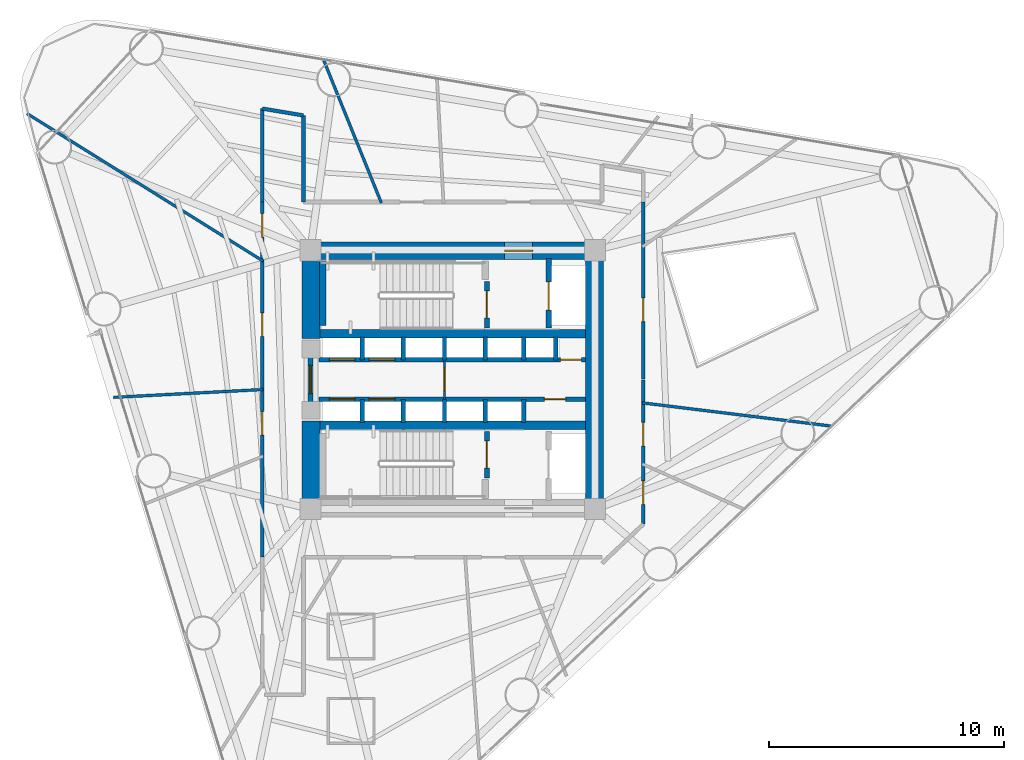
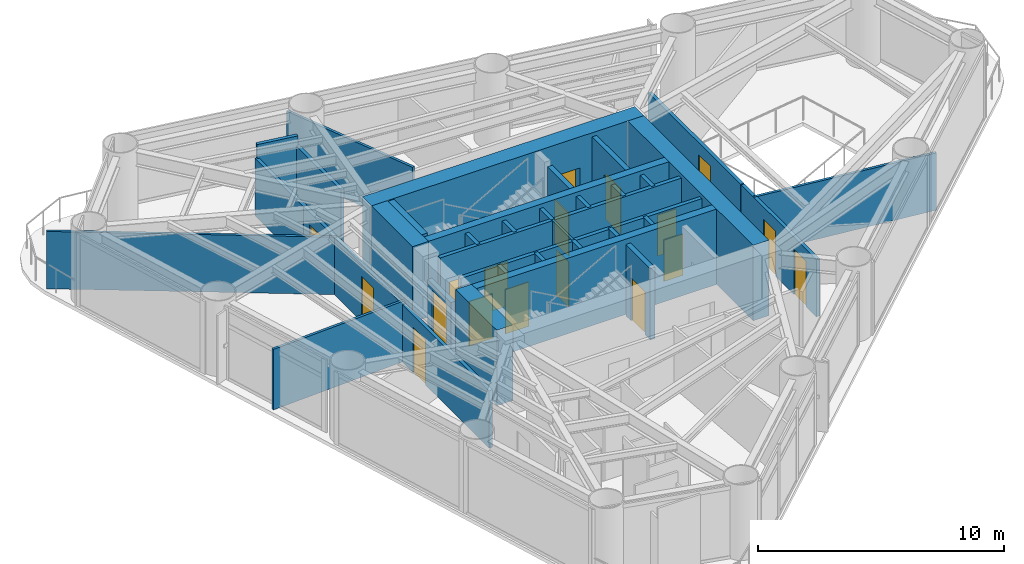
# One storey, part 6 of 10: 35 walls, 18 doors, 18 openings.
"""IFC4 building model written with IfcOpenShell, lengths in metres."""

from ifc_helpers import new_model, si_unit, direction, frame, frame_2d, origin, place, context, subcontext, project, spatial, rectangle, extrude, material, layer, layer_set, type_object, element, fill, save


model = new_model("IFC4")

# Units and contexts
model_context = context("Model", 3, precision=1e-05, world=origin(), true_north=direction((0.0, 1.0)))
body_context = subcontext(model_context, "Body", "Model", "MODEL_VIEW")
ifc_project = project(units=[si_unit("LENGTHUNIT", "METRE"), si_unit("AREAUNIT", "SQUARE_METRE"), si_unit("VOLUMEUNIT", "CUBIC_METRE"), si_unit("PLANEANGLEUNIT", "RADIAN"), si_unit("MASSUNIT", "GRAM", prefix="KILO")], contexts=[model_context])

# Site, building, storey
site_placement = place(None, origin())
site = spatial("IfcSite", under=ifc_project, at=site_placement, CompositionType="ELEMENT")
building_placement = place(site_placement, origin())
building = spatial("IfcBuilding", under=site, at=building_placement, Name="Yunling Apex Tower", CompositionType="ELEMENT")
storey_placement = place(building_placement, frame((0.0, 0.0, 104.89990234375)))
storey = spatial("IfcBuildingStorey", under=building, at=storey_placement, Name="L26", CompositionType="ELEMENT", Elevation=104.89990234375)

# Wall, opening, door
ifc_material_1 = material(Name="Concrete C60", Category="concrete")
ifc_layer_1 = layer(ifc_material_1, 0.75)
ifc_layer_set_1 = layer_set([ifc_layer_1], Name="Concrete C60")
wall_type_1 = type_object("IfcWallType", Name="WL-COR-1", PredefinedType="SHEAR", material=ifc_layer_set_1)
wall_1_placement = place(storey_placement, frame((-6.39990234375, 5.47509765625, 0.0), z_axis=(0.0, 0.0, 1.0), x_axis=(1.0, 0.0, 0.0)))
wall_1 = element("IfcWall", 1, at=wall_1_placement, inside=storey, type_object=wall_type_1, Name="L26 North Core Shear Wall", PredefinedType="SHEAR", context=body_context, shape_type="SweptSolid", body=[
    extrude(rectangle(XDim=12.7998046875, YDim=0.75, at=frame_2d((6.39990234375, 0.0))), origin(), (0.0, 0.0, 1.0), 3.75),
])
opening_1_placement = place(wall_1_placement, frame((8.60009765625, 0.0, 0.0)))
opening_1 = element("IfcOpeningElement", 2, at=opening_1_placement, cuts=wall_1, Name="Opening DR-FFL-1", PredefinedType="OPENING", context=body_context, shape_type="SweptSolid", body=[
    extrude(rectangle(XDim=1.199951171875, YDim=2.199951171875, at=frame_2d((0.60009765625, 1.10009765625))), frame((0.0, 0.385009765625, 0.0), z_axis=(0.0, -1.0, 0.0), x_axis=(1.0, 0.0, 0.0)), (0.0, 0.0, 1.0), 0.77001953125),
])
ifc_material_2 = material(Name="Steel Q355B", Category="steel")
door_type_1 = type_object("IfcDoorType", Name="DR-FFL-1", OperationType="NOTDEFINED", PredefinedType="DOOR", material=ifc_material_2)
door_1_placement = place(opening_1_placement, origin())
door_1 = element("IfcDoor", 3, at=door_1_placement, inside=storey, type_object=door_type_1, Name="L26 North Firefighting Lobby Door", OperationType="SINGLE_SWING_LEFT", OverallHeight=2.199951171875, OverallWidth=1.199951171875, PredefinedType="DOOR", context=body_context, shape_type="SweptSolid", body=[
    extrude(rectangle(XDim=1.199951171875, YDim=2.199951171875, at=frame_2d((0.60009765625, 1.10009765625))), frame((0.0, 0.02490234375, 0.0), z_axis=(0.0, -1.0, 0.0), x_axis=(1.0, 0.0, 0.0)), (0.0, 0.0, 1.0), 0.050048828125),
])
fill(opening_1, door_1)

# Walls
wall_2_placement = place(storey_placement, frame((6.02490234375, -5.10009765625, 0.0), z_axis=(0.0, 0.0, 1.0), x_axis=(0.0, 1.0, 0.0)))
element("IfcWall", 4, at=wall_2_placement, inside=storey, type_object=wall_type_1, Name="L26 East Core Shear Wall", PredefinedType="SHEAR", context=body_context, shape_type="SweptSolid", body=[
    extrude(rectangle(XDim=10.2001953125, YDim=0.75, at=frame_2d((5.10009765625, 0.0))), origin(), (0.0, 0.0, 1.0), 3.75),
])
for number, where, z_axis, x_axis, name in (
    (5, (-6.02490234375, -5.10009765625, 0.0), (0.0, 0.0, 1.0), (0.0, 1.0, 0.0), "L26 West-South Core Shear Wall"),
    (6, (-6.02490234375, 1.75, 0.0), (0.0, 0.0, 1.0), (0.0, 1.0, 0.0), "L26 West-North Core Shear Wall"),
):
    element("IfcWall", number, at=place(storey_placement, frame(where, z_axis=z_axis, x_axis=x_axis)), inside=storey, type_object=wall_type_1, Name=name, PredefinedType="SHEAR", context=body_context, shape_type="SweptSolid", body=[
        extrude(rectangle(XDim=3.35009765625, YDim=0.75, at=frame_2d((1.675048828125, 0.0))), origin(), (0.0, 0.0, 1.0), 3.75),
    ])
ifc_material_3 = material(Name="Concrete C40", Category="concrete")
ifc_layer_2 = layer(ifc_material_3, 0.360107421875)
ifc_layer_set_2 = layer_set([ifc_layer_2], Name="Concrete C40")
wall_type_2 = type_object("IfcWallType", Name="WL-COR-4", PredefinedType="SHEAR", material=ifc_layer_set_2)
for number, where, z_axis, x_axis, name in (
    (7, (-5.64990234375, 1.93994140625, 0.0), (0.0, 0.0, 1.0), (1.0, 0.0, 0.0), "L26 North Internal Core Shear Wall"),
    (8, (-5.64990234375, -1.93994140625, 0.0), (0.0, 0.0, 1.0), (1.0, 0.0, 0.0), "L26 South Internal Core Shear Wall"),
):
    element("IfcWall", number, at=place(storey_placement, frame(where, z_axis=z_axis, x_axis=x_axis)), inside=storey, type_object=wall_type_2, Name=name, PredefinedType="SHEAR", context=body_context, shape_type="SweptSolid", body=[
        extrude(rectangle(XDim=11.2998046875, YDim=0.360107421875, at=frame_2d((5.64990234375, 0.0))), origin(), (0.0, 0.0, 1.0), 3.75),
    ])
ifc_layer_3 = layer(ifc_material_3, 0.280029296875)
ifc_layer_set_3 = layer_set([ifc_layer_3], Name="Concrete C40")
wall_type_3 = type_object("IfcWallType", Name="WL-COR-8", PredefinedType="SHEAR", material=ifc_layer_set_3)
wall_3_placement = place(storey_placement, frame((-5.52001953125, 2.300048828125, 0.0), z_axis=(0.0, 0.0, 1.0), x_axis=(0.0, 1.0, 0.0)))
element("IfcWall", 9, at=wall_3_placement, inside=storey, type_object=wall_type_3, Name="L26 ST-1 West Landing Bearing Wall", PredefinedType="SHEAR", context=body_context, shape_type="SweptSolid", body=[
    extrude(rectangle(XDim=2.75, YDim=0.280029296875, at=frame_2d((1.375, 0.0))), origin(), (0.0, 0.0, 1.0), 3.75),
])

# Wall, openings, doors
ifc_material_4 = material(Name="Gypsum board acoustic partition")
ifc_layer_4 = layer(ifc_material_4, 0.159912109375)
ifc_layer_set_4 = layer_set([ifc_layer_4], Name="Gypsum board acoustic partition")
wall_type_4 = type_object("IfcWallType", Name="WL-PRT-1", PredefinedType="PARTITIONING", material=ifc_layer_set_4)
wall_4_placement = place(storey_placement, frame((-8.10009765625, -7.550048828125, 0.0), z_axis=(0.0, 0.0, 1.0), x_axis=(0.0, 1.0, 0.0)))
wall_4 = element("IfcWall", 10, at=wall_4_placement, inside=storey, type_object=wall_type_4, Name="WL-CORR-L26-03", PredefinedType="PARTITIONING", context=body_context, shape_type="SweptSolid", body=[
    extrude(rectangle(XDim=15.10009765625, YDim=0.159912109375, at=frame_2d((7.550048828125, 0.0))), origin(), (0.0, 0.0, 1.0), 2.85009765625),
])
opening_2_placement = place(wall_4_placement, frame((5.185302734375, 0.0, 0.0)))
opening_2 = element("IfcOpeningElement", 11, at=opening_2_placement, cuts=wall_4, Name="Opening DR-OFF-1", PredefinedType="OPENING", context=body_context, shape_type="SweptSolid", body=[
    extrude(rectangle(XDim=1.0, YDim=2.25, at=frame_2d((0.5, 1.125))), frame((0.0, 0.08984375, 0.0), z_axis=(0.0, -1.0, 0.0), x_axis=(1.0, 0.0, 0.0)), (0.0, 0.0, 1.0), 0.179931640625),
])
opening_3_placement = place(wall_4_placement, frame((9.390380859375, 0.0, 0.0)))
opening_3 = element("IfcOpeningElement", 12, at=opening_3_placement, cuts=wall_4, Name="Opening DR-OFF-1", PredefinedType="OPENING", context=body_context, shape_type="SweptSolid", body=[
    extrude(rectangle(XDim=1.0, YDim=2.25, at=frame_2d((0.5, 1.125))), frame((0.0, 0.08984375, 0.0), z_axis=(0.0, -1.0, 0.0), x_axis=(1.0, 0.0, 0.0)), (0.0, 0.0, 1.0), 0.179931640625),
])
opening_4_placement = place(wall_4_placement, frame((13.607421875, 0.0, 0.0)))
opening_4 = element("IfcOpeningElement", 13, at=opening_4_placement, cuts=wall_4, Name="Opening DR-OFF-1", PredefinedType="OPENING", context=body_context, shape_type="SweptSolid", body=[
    extrude(rectangle(XDim=1.0, YDim=2.25, at=frame_2d((0.5, 1.125))), frame((0.0, 0.08984375, 0.0), z_axis=(0.0, -1.0, 0.0), x_axis=(1.0, 0.0, 0.0)), (0.0, 0.0, 1.0), 0.179931640625),
])
ifc_material_5 = material(Name="Bronze anodised aluminium", Category="aluminium")
door_type_2 = type_object("IfcDoorType", Name="DR-OFF-1", OperationType="NOTDEFINED", PredefinedType="DOOR", material=ifc_material_5)
door_2_placement = place(opening_2_placement, origin())
door_2 = element("IfcDoor", 14, at=door_2_placement, inside=storey, type_object=door_type_2, Name="L26 Business Reading Lounge Door", OperationType="SINGLE_SWING_LEFT", OverallHeight=2.25, OverallWidth=1.0, PredefinedType="DOOR", context=body_context, shape_type="SweptSolid", body=[
    extrude(rectangle(XDim=1.0, YDim=2.25, at=frame_2d((0.5, 1.125))), frame((0.0, 0.02490234375, 0.0), z_axis=(0.0, -1.0, 0.0), x_axis=(1.0, 0.0, 0.0)), (0.0, 0.0, 1.0), 0.050048828125),
])
fill(opening_2, door_2)
door_3_placement = place(opening_3_placement, origin())
door_3 = element("IfcDoor", 15, at=door_3_placement, inside=storey, type_object=door_type_2, Name="L26 Document Archive Store Door", OperationType="SINGLE_SWING_RIGHT", OverallHeight=2.25, OverallWidth=1.0, PredefinedType="DOOR", context=body_context, shape_type="SweptSolid", body=[
    extrude(rectangle(XDim=1.0, YDim=2.25, at=frame_2d((0.5, 1.125))), frame((0.0, 0.02490234375, 0.0), z_axis=(0.0, -1.0, 0.0), x_axis=(1.0, 0.0, 0.0)), (0.0, 0.0, 1.0), 0.050048828125),
])
fill(opening_3, door_3)
door_4_placement = place(opening_4_placement, origin())
door_4 = element("IfcDoor", 16, at=door_4_placement, inside=storey, type_object=door_type_2, Name="L26 Client Reception Foyer Door", OperationType="SINGLE_SWING_LEFT", OverallHeight=2.25, OverallWidth=1.0, PredefinedType="DOOR", context=body_context, shape_type="SweptSolid", body=[
    extrude(rectangle(XDim=1.0, YDim=2.25, at=frame_2d((0.5, 1.125))), frame((0.0, 0.02490234375, 0.0), z_axis=(0.0, -1.0, 0.0), x_axis=(1.0, 0.0, 0.0)), (0.0, 0.0, 1.0), 0.050048828125),
])
fill(opening_4, door_4)

# Walls
wall_5_placement = place(storey_placement, frame((-8.10009765625, 7.550048828125, 0.0), z_axis=(0.0, 0.0, 1.0), x_axis=(0.0, 1.0, 0.0)))
element("IfcWall", 17, at=wall_5_placement, inside=storey, type_object=wall_type_4, Name="WL-CORR-L26-04", PredefinedType="PARTITIONING", context=body_context, shape_type="SweptSolid", body=[
    extrude(rectangle(XDim=3.970703125, YDim=0.159912109375, at=frame_2d((1.9853515625, 0.0))), origin(), (0.0, 0.0, 1.0), 2.85009765625),
])
wall_6_placement = place(storey_placement, frame((-8.10009765625, 11.520751953125, 0.0), z_axis=(0.0, 0.0, 1.0), x_axis=(0.986408796856, -0.164309724253, 0.0)))
element("IfcWall", 18, at=wall_6_placement, inside=storey, type_object=wall_type_4, Name="WL-CORR-L26-05", PredefinedType="PARTITIONING", context=body_context, shape_type="SweptSolid", body=[
    extrude(rectangle(XDim=1.774169921875, YDim=0.159912109375, at=frame_2d((0.88720703125, 0.0))), origin(), (0.0, 0.0, 1.0), 3.545166015625),
])
wall_7_placement = place(storey_placement, frame((-6.35009765625, 11.229248046875, 0.0), z_axis=(0.0, 0.0, 1.0), x_axis=(0.0, -1.0, 0.0)))
element("IfcWall", 19, at=wall_7_placement, inside=storey, type_object=wall_type_4, Name="WL-CORR-L26-06", PredefinedType="PARTITIONING", context=body_context, shape_type="SweptSolid", body=[
    extrude(rectangle(XDim=3.67919921875, YDim=0.159912109375, at=frame_2d((1.839599609375, 0.0))), origin(), (0.0, 0.0, 1.0), 3.050048828125),
])

# Wall, opening, door
wall_8_placement = place(storey_placement, frame((8.10009765625, 7.550048828125, 0.0), z_axis=(0.0, 0.0, 1.0), x_axis=(0.0, -1.0, 0.0)))
wall_8 = element("IfcWall", 20, at=wall_8_placement, inside=storey, type_object=wall_type_4, Name="WL-CORR-L26-11", PredefinedType="PARTITIONING", context=body_context, shape_type="SweptSolid", body=[
    extrude(rectangle(XDim=7.530029296875, YDim=0.159912109375, at=frame_2d((3.76513671875, 0.0))), origin(), (0.0, 0.0, 1.0), 2.85009765625),
])
opening_5_placement = place(wall_8_placement, frame((4.08203125, 0.0, 0.0)))
opening_5 = element("IfcOpeningElement", 21, at=opening_5_placement, cuts=wall_8, Name="Opening DR-OFF-1", PredefinedType="OPENING", context=body_context, shape_type="SweptSolid", body=[
    extrude(rectangle(XDim=1.0, YDim=2.25, at=frame_2d((0.5, 1.125))), frame((0.0, 0.08984375, 0.0), z_axis=(0.0, -1.0, 0.0), x_axis=(1.0, 0.0, 0.0)), (0.0, 0.0, 1.0), 0.179931640625),
])
door_5_placement = place(opening_5_placement, origin())
door_5 = element("IfcDoor", 22, at=door_5_placement, inside=storey, type_object=door_type_2, Name="L26 Executive Office Door", OperationType="SINGLE_SWING_RIGHT", OverallHeight=2.25, OverallWidth=1.0, PredefinedType="DOOR", context=body_context, shape_type="SweptSolid", body=[
    extrude(rectangle(XDim=1.0, YDim=2.25, at=frame_2d((0.5, 1.125))), frame((0.0, 0.02490234375, 0.0), z_axis=(0.0, -1.0, 0.0), x_axis=(1.0, 0.0, 0.0)), (0.0, 0.0, 1.0), 0.050048828125),
])
fill(opening_5, door_5)

# Wall, openings, doors
wall_9_placement = place(storey_placement, frame((8.10009765625, -0.02001953125, 0.0), z_axis=(0.0, 0.0, 1.0), x_axis=(0.0, -1.0, 0.0)))
wall_9 = element("IfcWall", 23, at=wall_9_placement, inside=storey, type_object=wall_type_4, Name="WL-CORR-L26-12", PredefinedType="PARTITIONING", context=body_context, shape_type="SweptSolid", body=[
    extrude(rectangle(XDim=6.126220703125, YDim=0.159912109375, at=frame_2d((3.06298828125, 0.0))), origin(), (0.0, 0.0, 1.0), 2.85009765625),
])
opening_6_placement = place(wall_9_placement, frame((1.801025390625, 0.0, 0.0)))
opening_6 = element("IfcOpeningElement", 24, at=opening_6_placement, cuts=wall_9, Name="Opening DR-OFF-1", PredefinedType="OPENING", context=body_context, shape_type="SweptSolid", body=[
    extrude(rectangle(XDim=1.0, YDim=2.25, at=frame_2d((0.5, 1.125))), frame((0.0, 0.08984375, 0.0), z_axis=(0.0, -1.0, 0.0), x_axis=(1.0, 0.0, 0.0)), (0.0, 0.0, 1.0), 0.179931640625),
])
opening_7_placement = place(wall_9_placement, frame((4.28369140625, 0.0, 0.0)))
opening_7 = element("IfcOpeningElement", 25, at=opening_7_placement, cuts=wall_9, Name="Opening DR-OFF-1", PredefinedType="OPENING", context=body_context, shape_type="SweptSolid", body=[
    extrude(rectangle(XDim=1.0, YDim=2.25, at=frame_2d((0.5, 1.125))), frame((0.0, 0.08984375, 0.0), z_axis=(0.0, -1.0, 0.0), x_axis=(1.0, 0.0, 0.0)), (0.0, 0.0, 1.0), 0.179931640625),
])
door_6_placement = place(opening_6_placement, origin())
door_6 = element("IfcDoor", 26, at=door_6_placement, inside=storey, type_object=door_type_2, Name="L26 Document Archive Store Door", OperationType="SINGLE_SWING_LEFT", OverallHeight=2.25, OverallWidth=1.0, PredefinedType="DOOR", context=body_context, shape_type="SweptSolid", body=[
    extrude(rectangle(XDim=1.0, YDim=2.25, at=frame_2d((0.5, 1.125))), frame((0.0, 0.02490234375, 0.0), z_axis=(0.0, -1.0, 0.0), x_axis=(1.0, 0.0, 0.0)), (0.0, 0.0, 1.0), 0.050048828125),
])
fill(opening_6, door_6)
door_7_placement = place(opening_7_placement, origin())
door_7 = element("IfcDoor", 27, at=door_7_placement, inside=storey, type_object=door_type_2, Name="L26 Client Reception Foyer Door", OperationType="SINGLE_SWING_RIGHT", OverallHeight=2.25, OverallWidth=1.0, PredefinedType="DOOR", context=body_context, shape_type="SweptSolid", body=[
    extrude(rectangle(XDim=1.0, YDim=2.25, at=frame_2d((0.5, 1.125))), frame((0.0, 0.02490234375, 0.0), z_axis=(0.0, -1.0, 0.0), x_axis=(1.0, 0.0, 0.0)), (0.0, 0.0, 1.0), 0.050048828125),
])
fill(opening_7, door_7)

# Walls
ifc_layer_5 = layer(ifc_material_4, 0.1201171875)
ifc_layer_set_5 = layer_set([ifc_layer_5], Name="Gypsum board acoustic partition")
wall_type_5 = type_object("IfcWallType", Name="WL-PRT-3", PredefinedType="PARTITIONING", material=ifc_layer_set_5)
wall_10_placement = place(storey_placement, frame((-8.06005859375, -0.42236328125, 0.0), z_axis=(0.0, 0.0, 1.0), x_axis=(-0.998629334036, -0.052339786045, 0.0)))
element("IfcWall", 28, at=wall_10_placement, inside=storey, type_object=wall_type_5, Name="WL-RAD-L26-01", PredefinedType="PARTITIONING", context=body_context, shape_type="SweptSolid", body=[
    extrude(rectangle(XDim=6.37646484375, YDim=0.1201171875, at=frame_2d((3.188232421875, 0.0))), origin(), (0.0, 0.0, 1.0), 3.010009765625),
])
wall_11_placement = place(storey_placement, frame((8.06005859375, -0.989501953125, 0.0), z_axis=(0.0, 0.0, 1.0), x_axis=(0.99254191086, -0.121903876831, 0.0)))
element("IfcWall", 29, at=wall_11_placement, inside=storey, type_object=wall_type_5, Name="WL-RAD-L26-08", PredefinedType="PARTITIONING", context=body_context, shape_type="SweptSolid", body=[
    extrude(rectangle(XDim=8.052978515625, YDim=0.1201171875, at=frame_2d((4.0263671875, 0.0))), origin(), (0.0, 0.0, 1.0), 2.85009765625),
])
wall_12_placement = place(storey_placement, frame((-3.0341796875, 7.510009765625, 0.0), z_axis=(0.0, 0.0, 1.0), x_axis=(-0.37460229318, 0.927185591963, 0.0)))
element("IfcWall", 30, at=wall_12_placement, inside=storey, type_object=wall_type_5, Name="WL-RAD-L26-12", PredefinedType="PARTITIONING", context=body_context, shape_type="SweptSolid", body=[
    extrude(rectangle(XDim=6.5224609375, YDim=0.1201171875, at=frame_2d((3.26123046875, 0.0))), origin(), (0.0, 0.0, 1.0), 3.050048828125),
])
wall_13_placement = place(storey_placement, frame((-8.06005859375, 5.036376953125, 0.0), z_axis=(0.0, 0.0, 1.0), x_axis=(-0.848040015969, 0.529932195016, 0.0)))
element("IfcWall", 31, at=wall_13_placement, inside=storey, type_object=wall_type_5, Name="WL-RAD-L26-13", PredefinedType="PARTITIONING", context=body_context, shape_type="SweptSolid", body=[
    extrude(rectangle(XDim=11.8369140625, YDim=0.1201171875, at=frame_2d((5.91845703125, 0.0))), origin(), (0.0, 0.0, 1.0), 2.85009765625),
])

# Wall, opening, door
ifc_layer_6 = layer(ifc_material_4, 0.10009765625)
ifc_layer_set_6 = layer_set([ifc_layer_6], Name="Gypsum board acoustic partition")
wall_type_6 = type_object("IfcWallType", Name="WL-PRT-4", PredefinedType="PARTITIONING", material=ifc_layer_set_6)
wall_14_placement = place(storey_placement, frame((-0.35009765625, -0.840087890625, 0.0), z_axis=(0.0, 0.0, 1.0), x_axis=(0.0, 1.0, 0.0)))
wall_14 = element("IfcWall", 32, at=wall_14_placement, inside=storey, type_object=wall_type_6, Name="WL-LOB-MID-L26", PredefinedType="PARTITIONING", context=body_context, shape_type="SweptSolid", body=[
    extrude(rectangle(XDim=1.68017578125, YDim=0.10009765625, at=frame_2d((0.840087890625, 0.0))), origin(), (0.0, 0.0, 1.0), 3.545166015625),
])
opening_8_placement = place(wall_14_placement, frame((0.340087890625, 0.0, 0.0)))
opening_8 = element("IfcOpeningElement", 33, at=opening_8_placement, cuts=wall_14, Name="Opening DR-OFF-1", PredefinedType="OPENING", context=body_context, shape_type="SweptSolid", body=[
    extrude(rectangle(XDim=1.0, YDim=2.25, at=frame_2d((0.5, 1.125))), frame((0.0, 0.06005859375, 0.0), z_axis=(0.0, -1.0, 0.0), x_axis=(1.0, 0.0, 0.0)), (0.0, 0.0, 1.0), 0.1201171875),
])
door_8_placement = place(opening_8_placement, origin())
door_8 = element("IfcDoor", 34, at=door_8_placement, inside=storey, type_object=door_type_2, Name="L26 Core Lobby Link Door", OperationType="SINGLE_SWING_RIGHT", OverallHeight=2.25, OverallWidth=1.0, PredefinedType="DOOR", context=body_context, shape_type="SweptSolid", body=[
    extrude(rectangle(XDim=1.0, YDim=2.25, at=frame_2d((0.5, 1.125))), frame((0.0, 0.02490234375, 0.0), z_axis=(0.0, -1.0, 0.0), x_axis=(1.0, 0.0, 0.0)), (0.0, 0.0, 1.0), 0.050048828125),
])
fill(opening_8, door_8)

ifc_material_6 = material(Name="Autoclaved aerated concrete masonry", Category="masonry")
ifc_layer_7 = layer(ifc_material_6, 0.219970703125)
ifc_layer_set_7 = layer_set([ifc_layer_7], Name="Autoclaved aerated concrete masonry")
wall_type_7 = type_object("IfcWallType", Name="WL-SHF-1", PredefinedType="PLUMBINGWALL", material=ifc_layer_set_7)
wall_15_placement = place(storey_placement, frame((-6.050048828125, -0.949951171875, 0.0), z_axis=(0.0, 0.0, 1.0), x_axis=(0.0, 1.0, 0.0)))
wall_15 = element("IfcWall", 35, at=wall_15_placement, inside=storey, type_object=wall_type_7, Name="WL-COR-WPORT-L26", PredefinedType="PLUMBINGWALL", context=body_context, shape_type="SweptSolid", body=[
    extrude(rectangle(XDim=1.89990234375, YDim=0.219970703125, at=frame_2d((0.949951171875, 0.0))), origin(), (0.0, 0.0, 1.0), 2.525146484375),
])
opening_9_placement = place(wall_15_placement, frame((0.35009765625, 0.0, 0.0)))
opening_9 = element("IfcOpeningElement", 36, at=opening_9_placement, cuts=wall_15, Name="Opening DR-FFL-1", PredefinedType="OPENING", context=body_context, shape_type="SweptSolid", body=[
    extrude(rectangle(XDim=1.199951171875, YDim=2.199951171875, at=frame_2d((0.60009765625, 1.10009765625))), frame((0.0, 0.1201171875, 0.0), z_axis=(0.0, -1.0, 0.0), x_axis=(1.0, 0.0, 0.0)), (0.0, 0.0, 1.0), 0.239990234375),
])
door_9_placement = place(opening_9_placement, origin())
door_9 = element("IfcDoor", 37, at=door_9_placement, inside=storey, type_object=door_type_1, Name="L26 Passenger Lift Lobby Entrance Door", OperationType="SINGLE_SWING_RIGHT", OverallHeight=2.199951171875, OverallWidth=1.199951171875, PredefinedType="DOOR", context=body_context, shape_type="SweptSolid", body=[
    extrude(rectangle(XDim=1.199951171875, YDim=2.199951171875, at=frame_2d((0.60009765625, 1.10009765625))), frame((0.0, 0.02490234375, 0.0), z_axis=(0.0, -1.0, 0.0), x_axis=(1.0, 0.0, 0.0)), (0.0, 0.0, 1.0), 0.050048828125),
])
fill(opening_9, door_9)

wall_16_placement = place(storey_placement, frame((1.449951171875, 2.199951171875, 0.0), z_axis=(0.0, 0.0, 1.0), x_axis=(0.0, 1.0, 0.0)))
wall_16 = element("IfcWall", 38, at=wall_16_placement, inside=storey, type_object=wall_type_7, Name="WL-ST1-E-L26", PredefinedType="PLUMBINGWALL", context=body_context, shape_type="SweptSolid", body=[
    extrude(rectangle(XDim=1.97998046875, YDim=0.219970703125, at=frame_2d((0.989990234375, 0.0))), origin(), (0.0, 0.0, 1.0), 3.545166015625),
])
opening_10_placement = place(wall_16_placement, frame((0.419921875, 0.0, 0.0)))
opening_10 = element("IfcOpeningElement", 39, at=opening_10_placement, cuts=wall_16, Name="Opening DR-ST-1", PredefinedType="OPENING", context=body_context, shape_type="SweptSolid", body=[
    extrude(rectangle(XDim=1.14990234375, YDim=2.14990234375, at=frame_2d((0.574951171875, 1.074951171875))), frame((0.0, 0.1201171875, 0.0), z_axis=(0.0, -1.0, 0.0), x_axis=(1.0, 0.0, 0.0)), (0.0, 0.0, 1.0), 0.239990234375),
])
door_type_3 = type_object("IfcDoorType", Name="DR-ST-1", OperationType="NOTDEFINED", PredefinedType="DOOR", material=ifc_material_2)
door_10_placement = place(opening_10_placement, origin())
door_10 = element("IfcDoor", 40, at=door_10_placement, inside=storey, type_object=door_type_3, Name="L26 Stair ST-1 Fire Door", OperationType="SINGLE_SWING_RIGHT", OverallHeight=2.14990234375, OverallWidth=1.14990234375, PredefinedType="DOOR", context=body_context, shape_type="SweptSolid", body=[
    extrude(rectangle(XDim=1.14990234375, YDim=2.14990234375, at=frame_2d((0.574951171875, 1.074951171875))), frame((0.0, 0.02490234375, 0.0), z_axis=(0.0, -1.0, 0.0), x_axis=(1.0, 0.0, 0.0)), (0.0, 0.0, 1.0), 0.050048828125),
])
fill(opening_10, door_10)

wall_17_placement = place(storey_placement, frame((4.080078125, 2.199951171875, 0.0), z_axis=(0.0, 0.0, 1.0), x_axis=(0.0, 1.0, 0.0)))
wall_17 = element("IfcWall", 41, at=wall_17_placement, inside=storey, type_object=wall_type_7, Name="WL-FFL1-W-L26", PredefinedType="PLUMBINGWALL", context=body_context, shape_type="SweptSolid", body=[
    extrude(rectangle(XDim=2.949951171875, YDim=0.219970703125, at=frame_2d((1.47509765625, 0.0))), origin(), (0.0, 0.0, 1.0), 3.545166015625),
])
opening_11_placement = place(wall_17_placement, frame((0.75, 0.0, 0.0)))
opening_11 = element("IfcOpeningElement", 42, at=opening_11_placement, cuts=wall_17, Name="Opening LD-FFL-1", PredefinedType="OPENING", context=body_context, shape_type="SweptSolid", body=[
    extrude(rectangle(XDim=1.199951171875, YDim=2.25, at=frame_2d((0.60009765625, 1.125))), frame((0.0, 0.1201171875, 0.0), z_axis=(0.0, -1.0, 0.0), x_axis=(1.0, 0.0, 0.0)), (0.0, 0.0, 1.0), 0.239990234375),
])
door_type_4 = type_object("IfcDoorType", Name="LD-FFL-1", OperationType="DOUBLE_DOOR_SLIDING", PredefinedType="DOOR", material=ifc_material_2)
door_11_placement = place(opening_11_placement, origin())
door_11 = element("IfcDoor", 43, at=door_11_placement, inside=storey, type_object=door_type_4, Name="L26 Lift FFL-1 Landing Door", OperationType="DOUBLE_DOOR_SLIDING", OverallHeight=2.25, OverallWidth=1.199951171875, PredefinedType="DOOR", context=body_context, shape_type="SweptSolid", body=[
    extrude(rectangle(XDim=1.199951171875, YDim=2.25, at=frame_2d((0.60009765625, 1.125))), frame((0.0, 0.02490234375, 0.0), z_axis=(0.0, -1.0, 0.0), x_axis=(1.0, 0.0, 0.0)), (0.0, 0.0, 1.0), 0.050048828125),
])
fill(opening_11, door_11)

wall_18_placement = place(storey_placement, frame((1.449951171875, -4.179931640625, 0.0), z_axis=(0.0, 0.0, 1.0), x_axis=(0.0, 1.0, 0.0)))
wall_18 = element("IfcWall", 44, at=wall_18_placement, inside=storey, type_object=wall_type_7, Name="WL-ST2-E-L26", PredefinedType="PLUMBINGWALL", context=body_context, shape_type="SweptSolid", body=[
    extrude(rectangle(XDim=1.97998046875, YDim=0.219970703125, at=frame_2d((0.989990234375, 0.0))), origin(), (0.0, 0.0, 1.0), 3.545166015625),
])
opening_12_placement = place(wall_18_placement, frame((0.419921875, 0.0, 0.0)))
opening_12 = element("IfcOpeningElement", 45, at=opening_12_placement, cuts=wall_18, Name="Opening DR-ST-1", PredefinedType="OPENING", context=body_context, shape_type="SweptSolid", body=[
    extrude(rectangle(XDim=1.14990234375, YDim=2.14990234375, at=frame_2d((0.574951171875, 1.074951171875))), frame((0.0, 0.1201171875, 0.0), z_axis=(0.0, -1.0, 0.0), x_axis=(1.0, 0.0, 0.0)), (0.0, 0.0, 1.0), 0.239990234375),
])
door_12_placement = place(opening_12_placement, origin())
door_12 = element("IfcDoor", 46, at=door_12_placement, inside=storey, type_object=door_type_3, Name="L26 Stair ST-2 Fire Door", OperationType="SINGLE_SWING_LEFT", OverallHeight=2.14990234375, OverallWidth=1.14990234375, PredefinedType="DOOR", context=body_context, shape_type="SweptSolid", body=[
    extrude(rectangle(XDim=1.14990234375, YDim=2.14990234375, at=frame_2d((0.574951171875, 1.074951171875))), frame((0.0, 0.02490234375, 0.0), z_axis=(0.0, -1.0, 0.0), x_axis=(1.0, 0.0, 0.0)), (0.0, 0.0, 1.0), 0.050048828125),
])
fill(opening_12, door_12)

# Walls
ifc_layer_8 = layer(ifc_material_6, 0.179931640625)
ifc_layer_set_8 = layer_set([ifc_layer_8], Name="Autoclaved aerated concrete masonry")
wall_type_8 = type_object("IfcWallType", Name="WL-SHF-2", PredefinedType="PLUMBINGWALL", material=ifc_layer_set_8)
for number, where, z_axis, x_axis, name in (
    (47, (-3.85009765625, 0.840087890625, 0.0), (0.0, 0.0, 1.0), (0.0, 1.0, 0.0), "WL-DIV-L12-L26"),
    (48, (-3.85009765625, -1.820068359375, 0.0), (0.0, 0.0, 1.0), (0.0, 1.0, 0.0), "WL-DIV-L34-L26"),
    (49, (-2.10009765625, 0.840087890625, 0.0), (0.0, 0.0, 1.0), (0.0, 1.0, 0.0), "WL-BNK-LM-N-L26"),
    (50, (-2.10009765625, -1.820068359375, 0.0), (0.0, 0.0, 1.0), (0.0, 1.0, 0.0), "WL-BNK-LM-S-L26"),
    (51, (-0.35009765625, 0.840087890625, 0.0), (0.0, 0.0, 1.0), (0.0, 1.0, 0.0), "WL-DIV-M12-L26"),
    (52, (-0.35009765625, -1.820068359375, 0.0), (0.0, 0.0, 1.0), (0.0, 1.0, 0.0), "WL-DIV-M34-L26"),
    (53, (1.3798828125, 0.840087890625, 0.0), (0.0, 0.0, 1.0), (0.0, 1.0, 0.0), "WL-BNK-MH-N-L26"),
    (54, (1.3798828125, -1.820068359375, 0.0), (0.0, 0.0, 1.0), (0.0, 1.0, 0.0), "WL-BNK-MH-S-L26"),
    (55, (3.02001953125, 0.840087890625, 0.0), (0.0, 0.0, 1.0), (0.0, 1.0, 0.0), "WL-DIV-H13-L26"),
    (56, (4.3798828125, 0.840087890625, 0.0), (0.0, 0.0, 1.0), (0.0, 1.0, 0.0), "WL-END-H3E-L26"),
    (57, (3.02001953125, -1.820068359375, 0.0), (0.0, 0.0, 1.0), (0.0, 1.0, 0.0), "WL-END-H2E-L26"),
):
    element("IfcWall", number, at=place(storey_placement, frame(where, z_axis=z_axis, x_axis=x_axis)), inside=storey, type_object=wall_type_8, Name=name, PredefinedType="PLUMBINGWALL", context=body_context, shape_type="SweptSolid", body=[
        extrude(rectangle(XDim=0.97998046875, YDim=0.179931640625, at=frame_2d((0.489990234375, 0.0))), origin(), (0.0, 0.0, 1.0), 3.545166015625),
    ])

# Wall, openings, doors
wall_19_placement = place(storey_placement, frame((-5.679931640625, 0.840087890625, 0.0), z_axis=(0.0, 0.0, 1.0), x_axis=(1.0, 0.0, 0.0)))
wall_19 = element("IfcWall", 58, at=wall_19_placement, inside=storey, type_object=wall_type_8, Name="WL-LOB-N-L26", PredefinedType="PLUMBINGWALL", context=body_context, shape_type="SweptSolid", body=[
    extrude(rectangle(XDim=11.329833984375, YDim=0.179931640625, at=frame_2d((5.6650390625, 0.0))), origin(), (0.0, 0.0, 1.0), 3.545166015625),
])
opening_13_placement = place(wall_19_placement, frame((0.429931640625, 0.0, 0.0)))
opening_13 = element("IfcOpeningElement", 59, at=opening_13_placement, cuts=wall_19, Name="Opening LD-PAS-1", PredefinedType="OPENING", context=body_context, shape_type="SweptSolid", body=[
    extrude(rectangle(XDim=1.10009765625, YDim=2.199951171875, at=frame_2d((0.550048828125, 1.10009765625))), frame((0.0, 0.10009765625, 0.0), z_axis=(0.0, -1.0, 0.0), x_axis=(1.0, 0.0, 0.0)), (0.0, 0.0, 1.0), 0.199951171875),
])
opening_14_placement = place(wall_19_placement, frame((2.1298828125, 0.0, 0.0)))
opening_14 = element("IfcOpeningElement", 60, at=opening_14_placement, cuts=wall_19, Name="Opening LD-PAS-1", PredefinedType="OPENING", context=body_context, shape_type="SweptSolid", body=[
    extrude(rectangle(XDim=1.10009765625, YDim=2.199951171875, at=frame_2d((0.550048828125, 1.10009765625))), frame((0.0, 0.10009765625, 0.0), z_axis=(0.0, -1.0, 0.0), x_axis=(1.0, 0.0, 0.0)), (0.0, 0.0, 1.0), 0.199951171875),
])
opening_15_placement = place(wall_19_placement, frame((10.25, 0.0, 0.0)))
opening_15 = element("IfcOpeningElement", 61, at=opening_15_placement, cuts=wall_19, Name="Opening DR-SHF-1", PredefinedType="OPENING", context=body_context, shape_type="SweptSolid", body=[
    extrude(rectangle(XDim=0.89990234375, YDim=2.050048828125, at=frame_2d((0.449951171875, 1.02490234375))), frame((0.0, 0.10009765625, 0.0), z_axis=(0.0, -1.0, 0.0), x_axis=(1.0, 0.0, 0.0)), (0.0, 0.0, 1.0), 0.199951171875),
])
door_type_5 = type_object("IfcDoorType", Name="DR-SHF-1", OperationType="NOTDEFINED", PredefinedType="DOOR", material=ifc_material_2)
door_13_placement = place(opening_15_placement, origin())
door_13 = element("IfcDoor", 62, at=door_13_placement, inside=storey, type_object=door_type_5, Name="L26 Core Janitor Closet Door", OperationType="SINGLE_SWING_LEFT", OverallHeight=2.050048828125, OverallWidth=0.89990234375, PredefinedType="DOOR", context=body_context, shape_type="SweptSolid", body=[
    extrude(rectangle(XDim=0.89990234375, YDim=2.050048828125, at=frame_2d((0.449951171875, 1.02490234375))), frame((0.0, 0.02490234375, 0.0), z_axis=(0.0, -1.0, 0.0), x_axis=(1.0, 0.0, 0.0)), (0.0, 0.0, 1.0), 0.050048828125),
])
fill(opening_15, door_13)
ifc_material_7 = material(Name="Silver anodised aluminium", Category="aluminium")
door_type_6 = type_object("IfcDoorType", Name="LD-PAS-1", OperationType="DOUBLE_DOOR_SLIDING", PredefinedType="DOOR", material=ifc_material_7)
door_14_placement = place(opening_13_placement, origin())
door_14 = element("IfcDoor", 63, at=door_14_placement, inside=storey, type_object=door_type_6, Name="L26 Lift PL-L1 Landing Door", OperationType="DOUBLE_DOOR_SLIDING", OverallHeight=2.199951171875, OverallWidth=1.10009765625, PredefinedType="DOOR", context=body_context, shape_type="SweptSolid", body=[
    extrude(rectangle(XDim=1.10009765625, YDim=2.199951171875, at=frame_2d((0.550048828125, 1.10009765625))), frame((0.0, 0.02490234375, 0.0), z_axis=(0.0, -1.0, 0.0), x_axis=(1.0, 0.0, 0.0)), (0.0, 0.0, 1.0), 0.050048828125),
])
fill(opening_13, door_14)
door_15_placement = place(opening_14_placement, origin())
door_15 = element("IfcDoor", 64, at=door_15_placement, inside=storey, type_object=door_type_6, Name="L26 Lift PL-L2 Landing Door", OperationType="DOUBLE_DOOR_SLIDING", OverallHeight=2.199951171875, OverallWidth=1.10009765625, PredefinedType="DOOR", context=body_context, shape_type="SweptSolid", body=[
    extrude(rectangle(XDim=1.10009765625, YDim=2.199951171875, at=frame_2d((0.550048828125, 1.10009765625))), frame((0.0, 0.02490234375, 0.0), z_axis=(0.0, -1.0, 0.0), x_axis=(1.0, 0.0, 0.0)), (0.0, 0.0, 1.0), 0.050048828125),
])
fill(opening_14, door_15)

wall_20_placement = place(storey_placement, frame((-5.679931640625, -0.840087890625, 0.0), z_axis=(0.0, 0.0, 1.0), x_axis=(1.0, 0.0, 0.0)))
wall_20 = element("IfcWall", 65, at=wall_20_placement, inside=storey, type_object=wall_type_8, Name="WL-LOB-S-L26", PredefinedType="PLUMBINGWALL", context=body_context, shape_type="SweptSolid", body=[
    extrude(rectangle(XDim=11.329833984375, YDim=0.179931640625, at=frame_2d((5.6650390625, 0.0))), origin(), (0.0, 0.0, 1.0), 3.545166015625),
])
opening_16_placement = place(wall_20_placement, frame((0.429931640625, 0.0, 0.0)))
opening_16 = element("IfcOpeningElement", 66, at=opening_16_placement, cuts=wall_20, Name="Opening LD-PAS-1", PredefinedType="OPENING", context=body_context, shape_type="SweptSolid", body=[
    extrude(rectangle(XDim=1.10009765625, YDim=2.199951171875, at=frame_2d((0.550048828125, 1.10009765625))), frame((0.0, 0.10009765625, 0.0), z_axis=(0.0, -1.0, 0.0), x_axis=(1.0, 0.0, 0.0)), (0.0, 0.0, 1.0), 0.199951171875),
])
opening_17_placement = place(wall_20_placement, frame((2.1298828125, 0.0, 0.0)))
opening_17 = element("IfcOpeningElement", 67, at=opening_17_placement, cuts=wall_20, Name="Opening LD-PAS-1", PredefinedType="OPENING", context=body_context, shape_type="SweptSolid", body=[
    extrude(rectangle(XDim=1.10009765625, YDim=2.199951171875, at=frame_2d((0.550048828125, 1.10009765625))), frame((0.0, 0.10009765625, 0.0), z_axis=(0.0, -1.0, 0.0), x_axis=(1.0, 0.0, 0.0)), (0.0, 0.0, 1.0), 0.199951171875),
])
opening_18_placement = place(wall_20_placement, frame((9.580078125, 0.0, 0.0)))
opening_18 = element("IfcOpeningElement", 68, at=opening_18_placement, cuts=wall_20, Name="Opening DR-SHF-1", PredefinedType="OPENING", context=body_context, shape_type="SweptSolid", body=[
    extrude(rectangle(XDim=0.89990234375, YDim=2.050048828125, at=frame_2d((0.449951171875, 1.02490234375))), frame((0.0, 0.10009765625, 0.0), z_axis=(0.0, -1.0, 0.0), x_axis=(1.0, 0.0, 0.0)), (0.0, 0.0, 1.0), 0.199951171875),
])
door_16_placement = place(opening_18_placement, origin())
door_16 = element("IfcDoor", 69, at=door_16_placement, inside=storey, type_object=door_type_5, Name="L26 Core MEP Service Door", OperationType="SINGLE_SWING_RIGHT", OverallHeight=2.050048828125, OverallWidth=0.89990234375, PredefinedType="DOOR", context=body_context, shape_type="SweptSolid", body=[
    extrude(rectangle(XDim=0.89990234375, YDim=2.050048828125, at=frame_2d((0.449951171875, 1.02490234375))), frame((0.0, 0.02490234375, 0.0), z_axis=(0.0, -1.0, 0.0), x_axis=(1.0, 0.0, 0.0)), (0.0, 0.0, 1.0), 0.050048828125),
])
fill(opening_18, door_16)
door_17_placement = place(opening_16_placement, origin())
door_17 = element("IfcDoor", 70, at=door_17_placement, inside=storey, type_object=door_type_6, Name="L26 Lift PL-L3 Landing Door", OperationType="DOUBLE_DOOR_SLIDING", OverallHeight=2.199951171875, OverallWidth=1.10009765625, PredefinedType="DOOR", context=body_context, shape_type="SweptSolid", body=[
    extrude(rectangle(XDim=1.10009765625, YDim=2.199951171875, at=frame_2d((0.550048828125, 1.10009765625))), frame((0.0, 0.02490234375, 0.0), z_axis=(0.0, -1.0, 0.0), x_axis=(1.0, 0.0, 0.0)), (0.0, 0.0, 1.0), 0.050048828125),
])
fill(opening_16, door_17)
door_18_placement = place(opening_17_placement, origin())
door_18 = element("IfcDoor", 71, at=door_18_placement, inside=storey, type_object=door_type_6, Name="L26 Lift PL-L4 Landing Door", OperationType="DOUBLE_DOOR_SLIDING", OverallHeight=2.199951171875, OverallWidth=1.10009765625, PredefinedType="DOOR", context=body_context, shape_type="SweptSolid", body=[
    extrude(rectangle(XDim=1.10009765625, YDim=2.199951171875, at=frame_2d((0.550048828125, 1.10009765625))), frame((0.0, 0.02490234375, 0.0), z_axis=(0.0, -1.0, 0.0), x_axis=(1.0, 0.0, 0.0)), (0.0, 0.0, 1.0), 0.050048828125),
])
fill(opening_17, door_18)

save(model, "model.ifc")
